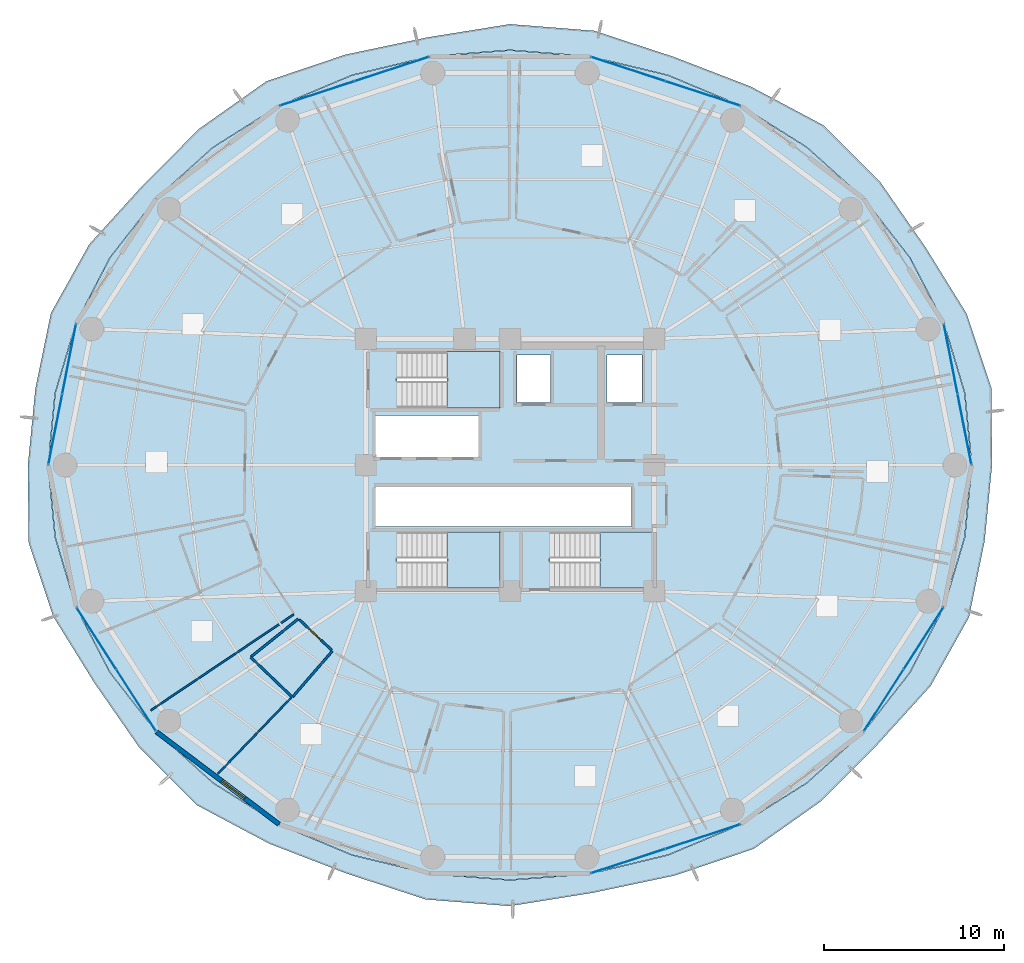
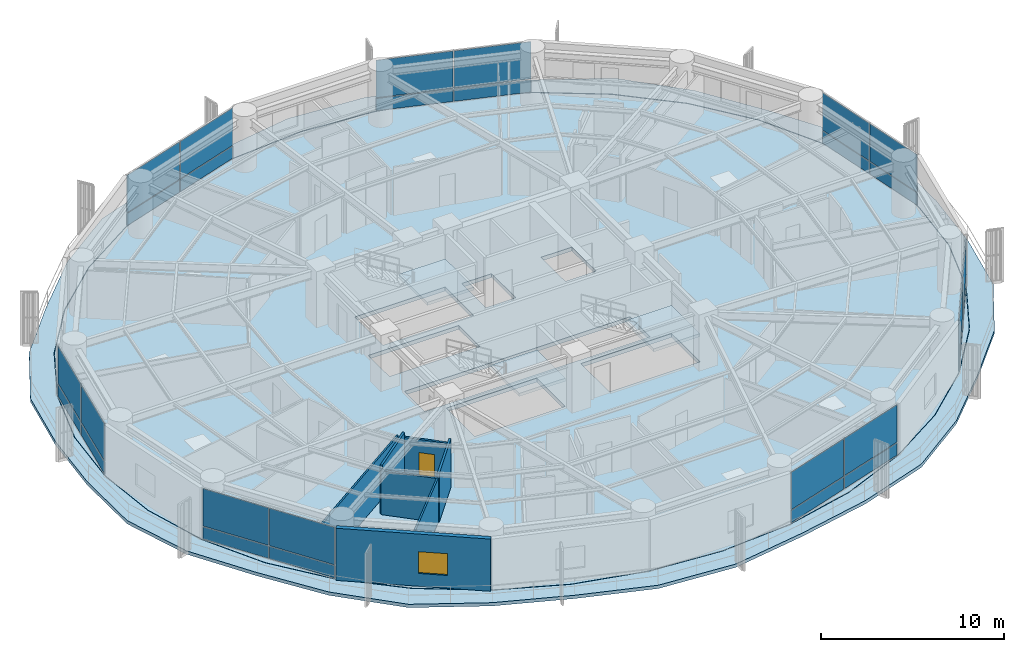
# One storey, part 28 of 35: 28 plates, 7 walls, 5 slabs, 1 door, 1 window, 2 openings, 10 elements without a shape of their own.
"""IFC4 building model written with IfcOpenShell, lengths in metres."""

from ifc_helpers import new_model, si_unit, direction, frame, frame_2d, origin, origin_2d, place, context, subcontext, project, spatial, polyline, rectangle, outline, extrude, source, transform, mapped, material, layer, layer_set, type_object, element, fill, aggregate, save


model = new_model("IFC4")

# Units and contexts
model_context = context("Model", 3, precision=1e-05, world=origin(), true_north=direction((0.0, 1.0)))
body_context = subcontext(model_context, "Body", "Model", "MODEL_VIEW")
ifc_project = project(units=[si_unit("LENGTHUNIT", "METRE"), si_unit("AREAUNIT", "SQUARE_METRE"), si_unit("VOLUMEUNIT", "CUBIC_METRE"), si_unit("PLANEANGLEUNIT", "RADIAN"), si_unit("MASSUNIT", "GRAM", prefix="KILO")], contexts=[model_context])

# Site, building, storey
site_placement = place(None, origin())
site = spatial("IfcSite", under=ifc_project, at=site_placement, CompositionType="ELEMENT")
building_placement = place(site_placement, origin())
building = spatial("IfcBuilding", under=site, at=building_placement, Name="Kelanora Arch Commons", CompositionType="ELEMENT")
storey_placement = place(building_placement, frame((0.0, 0.0, 121.35009765625)))
storey = spatial("IfcBuildingStorey", under=building, at=storey_placement, Name="L31", CompositionType="ELEMENT", Elevation=121.35009765625)

# Stair, slab
ifc_material_1 = material(Name="Concrete C40/50", Category="concrete")
stair_type = type_object("IfcStairType", Name="STR-DL-375", PredefinedType="HALF_TURN_STAIR", material=ifc_material_1)
stair_1_placement = place(storey_placement, origin())
stair_1 = element("IfcStair", 1, at=stair_1_placement, inside=storey, type_object=stair_type, Name="L31 ST-T1", PredefinedType="HALF_TURN_STAIR")
ifc_layer_1 = layer(ifc_material_1, 0.199951171875)
ifc_layer_set_1 = layer_set([ifc_layer_1], Name="Concrete C40/50")
slab_type_1 = type_object("IfcSlabType", Name="SLB-STAIR-LND", PredefinedType="LANDING", material=ifc_layer_set_1)
slab_1_placement = place(storey_placement, frame((0.0, 0.0, 1.6748046875)))
slab_1 = element("IfcSlab", 2, at=slab_1_placement, type_object=slab_type_1, Name="ST-T1 landing 1", PredefinedType="LANDING", context=body_context, shape_type="SweptSolid", body=[
    extrude(outline(polyline([(70.52001953125, 61.179931640625), (73.43994140625, 61.179931640625), (73.43994140625, 64.2900390625), (70.52001953125, 64.2900390625), (70.52001953125, 61.179931640625)])), origin(), (0.0, 0.0, 1.0), 0.2001953125),
])
aggregate(stair_1, [slab_1])

stair_2_placement = place(storey_placement, origin())
stair_2 = element("IfcStair", 3, at=stair_2_placement, inside=storey, type_object=stair_type, Name="L31 ST-T2", PredefinedType="HALF_TURN_STAIR")
slab_2_placement = place(storey_placement, frame((0.0, 0.0, 1.6748046875)))
slab_2 = element("IfcSlab", 4, at=slab_2_placement, type_object=slab_type_1, Name="ST-T2 landing 1", PredefinedType="LANDING", context=body_context, shape_type="SweptSolid", body=[
    extrude(outline(polyline([(79.0, 51.179931640625), (81.919921875, 51.179931640625), (81.919921875, 54.2900390625), (79.0, 54.2900390625), (79.0, 51.179931640625)])), origin(), (0.0, 0.0, 1.0), 0.2001953125),
])
aggregate(stair_2, [slab_2])

stair_3_placement = place(storey_placement, origin())
stair_3 = element("IfcStair", 5, at=stair_3_placement, inside=storey, type_object=stair_type, Name="L31 ST-T3", PredefinedType="HALF_TURN_STAIR")
slab_3_placement = place(storey_placement, frame((0.0, 0.0, 1.6748046875)))
slab_3 = element("IfcSlab", 6, at=slab_3_placement, type_object=slab_type_1, Name="ST-T3 landing 1", PredefinedType="LANDING", context=body_context, shape_type="SweptSolid", body=[
    extrude(outline(polyline([(70.52001953125, 51.179931640625), (73.43994140625, 51.179931640625), (73.43994140625, 54.2900390625), (70.52001953125, 54.2900390625), (70.52001953125, 51.179931640625)])), origin(), (0.0, 0.0, 1.0), 0.2001953125),
])
aggregate(stair_3, [slab_3])

# Slabs
ifc_layer_2 = layer(ifc_material_1, 0.260009765625)
ifc_layer_set_2 = layer_set([ifc_layer_2], Name="Concrete C40/50")
slab_type_2 = type_object("IfcSlabType", Name="SLB-TWR-TYP", PredefinedType="FLOOR", material=ifc_layer_set_2)
slab_4_placement = place(storey_placement, frame((0.0, 0.0, -0.260009765625)))
element("IfcSlab", 7, at=slab_4_placement, inside=storey, type_object=slab_type_2, Name="Tower Floor Slab L31", PredefinedType="FLOOR", context=body_context, shape_type="SweptSolid", body=[
    extrude(outline(polyline([(99.60009765625, 58.0), (99.211181640625, 61.993896484375), (98.05615234375, 65.866455078125), (96.17041015625, 69.5), (93.610595703125, 72.7841796875), (90.455322265625, 75.618896484375), (86.800048828125, 77.918701171875), (82.755615234375, 79.61279296875), (78.4453125, 80.650634765625), (74.0, 81.0), (69.5546875, 80.650634765625), (65.244384765625, 79.61279296875), (61.199951171875, 77.918701171875), (57.544677734375, 75.618896484375), (54.389404296875, 72.7841796875), (51.82958984375, 69.5), (49.94384765625, 65.866455078125), (48.788818359375, 61.993896484375), (48.39990234375, 58.0), (48.788818359375, 54.006103515625), (49.94384765625, 50.133544921875), (51.82958984375, 46.5), (54.389404296875, 43.2158203125), (57.544677734375, 40.381103515625), (61.199951171875, 38.081298828125), (65.244384765625, 36.38720703125), (69.5546875, 35.349365234375), (74.0, 35.0), (78.4453125, 35.349365234375), (82.755615234375, 36.38720703125), (86.800048828125, 38.081298828125), (90.455322265625, 40.381103515625), (93.610595703125, 43.2158203125), (96.17041015625, 46.5), (98.05615234375, 50.133544921875), (99.211181640625, 54.006103515625), (99.60009765625, 58.0)]), holes=[polyline([(73.431884765625, 51.18798828125), (67.72802734375, 51.18798828125), (67.72802734375, 54.281982421875), (73.431884765625, 54.281982421875), (73.431884765625, 51.18798828125)]), polyline([(76.2080078125, 51.18798828125), (76.2080078125, 54.281982421875), (81.912109375, 54.281982421875), (81.912109375, 51.18798828125), (76.2080078125, 51.18798828125)]), polyline([(66.550048828125, 54.60009765625), (66.550048828125, 56.800048828125), (80.75, 56.800048828125), (80.75, 54.60009765625), (66.550048828125, 54.60009765625)]), polyline([(66.550048828125, 58.449951171875), (66.550048828125, 60.75), (72.25, 60.75), (72.25, 58.449951171875), (66.550048828125, 58.449951171875)]), polyline([(67.72802734375, 61.18798828125), (67.72802734375, 64.281982421875), (73.431884765625, 64.281982421875), (73.431884765625, 61.18798828125), (67.72802734375, 61.18798828125)]), polyline([(74.3798828125, 61.47998046875), (74.3798828125, 64.1201171875), (76.260009765625, 64.1201171875), (76.260009765625, 61.47998046875), (74.3798828125, 61.47998046875)]), polyline([(79.3798828125, 61.47998046875), (79.3798828125, 64.1201171875), (81.320068359375, 64.1201171875), (81.320068359375, 61.47998046875), (79.3798828125, 61.47998046875)])]), origin(), (0.0, 0.0, 1.0), 0.260009765625),
])
ifc_layer_3 = layer(ifc_material_1, 0.219970703125)
ifc_layer_set_3 = layer_set([ifc_layer_3], Name="Concrete C40/50")
slab_type_3 = type_object("IfcSlabType", Name="SLB-WAVE-BAL", PredefinedType="FLOOR", material=ifc_layer_set_3)
slab_5_placement = place(storey_placement, frame((0.0, 0.0, -0.22021484375)))
element("IfcSlab", 8, at=slab_5_placement, inside=storey, type_object=slab_type_3, Name="Sinusoidal Wave Balcony Slab L31", PredefinedType="FLOOR", context=body_context, shape_type="SweptSolid", body=[
    extrude(outline(polyline([(100.732421875, 58.0), (100.6923828125, 62.28466796875), (99.333740234375, 66.384033203125), (97.0537109375, 70.067626953125), (94.555908203125, 73.666748046875), (91.382080078125, 76.84814453125), (87.35595703125, 78.990478515625), (83.09033203125, 80.63623046875), (78.6728515625, 82.08642578125), (74.0, 82.453857421875), (69.38623046875, 81.7138671875), (64.868896484375, 80.7607421875), (60.4912109375, 79.284912109375), (56.76611328125, 76.651611328125), (53.621826171875, 73.500732421875), (50.669921875, 70.245361328125), (48.544677734375, 66.433349609375), (47.677734375, 62.2119140625), (47.267578125, 58.0), (47.3076171875, 53.71533203125), (48.666259765625, 49.615966796875), (50.9462890625, 45.932373046875), (53.444091796875, 42.333251953125), (56.617919921875, 39.15185546875), (60.64404296875, 37.009521484375), (64.90966796875, 35.36376953125), (69.3271484375, 33.91357421875), (74.0, 33.546142578125), (78.61376953125, 34.2861328125), (83.131103515625, 35.2392578125), (87.5087890625, 36.715087890625), (91.23388671875, 39.348388671875), (94.378173828125, 42.499267578125), (97.330078125, 45.754638671875), (99.455322265625, 49.566650390625), (100.322265625, 53.7880859375), (100.732421875, 58.0)]), holes=[polyline([(99.230712890625, 54.002685546875), (98.074951171875, 50.126708984375), (96.1875, 46.489990234375), (93.626220703125, 43.202880859375), (90.46826171875, 40.36572265625), (86.81005859375, 38.064208984375), (82.7626953125, 36.368408203125), (78.448974609375, 35.32958984375), (74.0, 34.97998046875), (69.551025390625, 35.32958984375), (65.2373046875, 36.368408203125), (61.18994140625, 38.064208984375), (57.53173828125, 40.36572265625), (54.373779296875, 43.202880859375), (51.8125, 46.489990234375), (49.925048828125, 50.126708984375), (48.769287109375, 54.002685546875), (48.3798828125, 58.0), (48.769287109375, 61.997314453125), (49.925048828125, 65.873291015625), (51.8125, 69.510009765625), (54.373779296875, 72.797119140625), (57.53173828125, 75.63427734375), (61.18994140625, 77.935791015625), (65.2373046875, 79.631591796875), (69.551025390625, 80.67041015625), (74.0, 81.02001953125), (78.448974609375, 80.67041015625), (82.7626953125, 79.631591796875), (86.81005859375, 77.935791015625), (90.46826171875, 75.63427734375), (93.626220703125, 72.797119140625), (96.1875, 69.510009765625), (98.074951171875, 65.873291015625), (99.230712890625, 61.997314453125), (99.6201171875, 58.0), (99.230712890625, 54.002685546875)])]), origin(), (0.0, 0.0, 1.0), 0.22021484375),
])

# Curtain wall, plates
ifc_material_2 = material(Name="Terracotta ceramic-fritted low-E glass and aluminium", Category="masonry")
ifc_layer_4 = layer(ifc_material_2, 0.159912109375)
ifc_layer_set_4 = layer_set([ifc_layer_4], Name="Terracotta ceramic-fritted low-E glass and aluminium")
curtain_wall_type = type_object("IfcCurtainWallType", Name="CW-SYS-01", PredefinedType="NOTDEFINED", material=ifc_layer_set_4)
curtain_wall_1_placement = place(storey_placement, origin())
curtain_wall_1 = element("IfcCurtainWall", 9, at=curtain_wall_1_placement, inside=storey, type_object=curtain_wall_type, Name="Unitised Curtain Wall L31-B00", PredefinedType="NOTDEFINED")
ifc_material_3 = material(Name="Terracotta ceramic-fritted double glazing", Category="masonry")
ifc_layer_5 = layer(ifc_material_3, 0.028076171875)
ifc_layer_set_5 = layer_set([ifc_layer_5], Name="Terracotta ceramic-fritted double glazing")
plate_type = type_object("IfcPlateType", Name="CWP-FRIT", PredefinedType="CURTAIN_PANEL", material=ifc_layer_set_5)
shared_shape_1 = source(origin(), body_context, "Body", "SweptSolid", [
    extrude(rectangle(XDim=3.9033203125, YDim=0.028076171875, at=origin_2d()), origin(), (0.0, 0.0, 1.0), 0.81005859375),
])
plate_1_placement = place(storey_placement, frame((99.209716796875, 59.98876953125, 0.059814453125), z_axis=(0.0, 0.0, 1.0), x_axis=(-0.192584916272, 0.981280311646, 0.0)))
plate_1 = element("IfcPlate", 10, at=plate_1_placement, type_object=plate_type, Name="CW-01 panel 1.1", PredefinedType="CURTAIN_PANEL", context=body_context, shape_type="MappedRepresentation", body=[
    mapped(shared_shape_1, transform((0.0, 0.0, 0.0), scale=1.0)),
])
plate_2_placement = place(storey_placement, frame((98.446533203125, 63.877685546875, 0.059814453125), z_axis=(0.0, 0.0, 1.0), x_axis=(-0.192584916272, 0.981280311646, 0.0)))
plate_2 = element("IfcPlate", 11, at=plate_2_placement, type_object=plate_type, Name="CW-01 panel 2.1", PredefinedType="CURTAIN_PANEL", context=body_context, shape_type="MappedRepresentation", body=[
    mapped(shared_shape_1, transform((0.0, 0.0, 0.0), scale=1.0)),
])

curtain_wall_2_placement = place(storey_placement, origin())
curtain_wall_2 = element("IfcCurtainWall", 12, at=curtain_wall_2_placement, inside=storey, type_object=curtain_wall_type, Name="Unitised Curtain Wall L31-B08", PredefinedType="NOTDEFINED")
plate_3_placement = place(storey_placement, frame((49.553466796875, 63.877685546875, 0.059814453125), z_axis=(0.0, 0.0, 1.0), x_axis=(-0.192584916272, -0.981280311646, 0.0)))
plate_3 = element("IfcPlate", 13, at=plate_3_placement, type_object=plate_type, Name="CW-01 panel 1.1", PredefinedType="CURTAIN_PANEL", context=body_context, shape_type="MappedRepresentation", body=[
    mapped(shared_shape_1, transform((0.0, 0.0, 0.0), scale=1.0)),
])
plate_4_placement = place(storey_placement, frame((48.790283203125, 59.98876953125, 0.059814453125), z_axis=(0.0, 0.0, 1.0), x_axis=(-0.192584916272, -0.981280311646, 0.0)))
plate_4 = element("IfcPlate", 14, at=plate_4_placement, type_object=plate_type, Name="CW-01 panel 2.1", PredefinedType="CURTAIN_PANEL", context=body_context, shape_type="MappedRepresentation", body=[
    mapped(shared_shape_1, transform((0.0, 0.0, 0.0), scale=1.0)),
])

# Plate
shared_shape_2 = source(origin(), body_context, "Body", "SweptSolid", [
    extrude(rectangle(XDim=3.9033203125, YDim=0.028076171875, at=origin_2d()), origin(), (0.0, 0.0, 1.0), 2.485107421875),
])
plate_5_placement = place(storey_placement, frame((99.209716796875, 59.98876953125, 0.9296875), z_axis=(0.0, 0.0, 1.0), x_axis=(-0.192584916272, 0.981280311646, 0.0)))
plate_5 = element("IfcPlate", 15, at=plate_5_placement, type_object=plate_type, Name="CW-01 panel 1.2", PredefinedType="CURTAIN_PANEL", context=body_context, shape_type="MappedRepresentation", body=[
    mapped(shared_shape_2, transform((0.0, 0.0, 0.0), scale=1.0)),
])

plate_6_placement = place(storey_placement, frame((98.446533203125, 63.877685546875, 0.9296875), z_axis=(0.0, 0.0, 1.0), x_axis=(-0.192584916272, 0.981280311646, 0.0)))
plate_6 = element("IfcPlate", 16, at=plate_6_placement, type_object=plate_type, Name="CW-01 panel 2.2", PredefinedType="CURTAIN_PANEL", context=body_context, shape_type="MappedRepresentation", body=[
    mapped(shared_shape_2, transform((0.0, 0.0, 0.0), scale=1.0)),
])

aggregate(curtain_wall_1, [plate_1, plate_5, plate_2, plate_6])

plate_7_placement = place(storey_placement, frame((49.553466796875, 63.877685546875, 0.9296875), z_axis=(0.0, 0.0, 1.0), x_axis=(-0.192584916272, -0.981280311646, 0.0)))
plate_7 = element("IfcPlate", 17, at=plate_7_placement, type_object=plate_type, Name="CW-01 panel 1.2", PredefinedType="CURTAIN_PANEL", context=body_context, shape_type="MappedRepresentation", body=[
    mapped(shared_shape_2, transform((0.0, 0.0, 0.0), scale=1.0)),
])

plate_8_placement = place(storey_placement, frame((48.790283203125, 59.98876953125, 0.9296875), z_axis=(0.0, 0.0, 1.0), x_axis=(-0.192584916272, -0.981280311646, 0.0)))
plate_8 = element("IfcPlate", 18, at=plate_8_placement, type_object=plate_type, Name="CW-01 panel 2.2", PredefinedType="CURTAIN_PANEL", context=body_context, shape_type="MappedRepresentation", body=[
    mapped(shared_shape_2, transform((0.0, 0.0, 0.0), scale=1.0)),
])

aggregate(curtain_wall_2, [plate_3, plate_7, plate_4, plate_8])

# Curtain wall, plates
curtain_wall_3_placement = place(storey_placement, origin())
curtain_wall_3 = element("IfcCurtainWall", 19, at=curtain_wall_3_placement, inside=storey, type_object=curtain_wall_type, Name="Unitised Curtain Wall L31-B03", PredefinedType="NOTDEFINED")
shared_shape_3 = source(origin(), body_context, "Body", "SweptSolid", [
    extrude(rectangle(XDim=4.2900390625, YDim=0.028076171875, at=origin_2d()), origin(), (0.0, 0.0, 1.0), 0.81005859375),
])
plate_9_placement = place(storey_placement, frame((84.68994140625, 78.608642578125, 0.059814453125), z_axis=(0.0, 0.0, 1.0), x_axis=(-0.950473795867, 0.31080470294, 0.0)))
plate_9 = element("IfcPlate", 20, at=plate_9_placement, type_object=plate_type, Name="CW-01 panel 1.1", PredefinedType="CURTAIN_PANEL", context=body_context, shape_type="MappedRepresentation", body=[
    mapped(shared_shape_3, transform((0.0, 0.0, 0.0), scale=1.0)),
])
plate_10_placement = place(storey_placement, frame((80.555419921875, 79.960693359375, 0.059814453125), z_axis=(0.0, 0.0, 1.0), x_axis=(-0.950473795867, 0.31080470294, 0.0)))
plate_10 = element("IfcPlate", 21, at=plate_10_placement, type_object=plate_type, Name="CW-01 panel 2.1", PredefinedType="CURTAIN_PANEL", context=body_context, shape_type="MappedRepresentation", body=[
    mapped(shared_shape_3, transform((0.0, 0.0, 0.0), scale=1.0)),
])

curtain_wall_4_placement = place(storey_placement, origin())
curtain_wall_4 = element("IfcCurtainWall", 22, at=curtain_wall_4_placement, inside=storey, type_object=curtain_wall_type, Name="Unitised Curtain Wall L31-B05", PredefinedType="NOTDEFINED")
plate_11_placement = place(storey_placement, frame((67.444580078125, 79.960693359375, 0.059814453125), z_axis=(0.0, 0.0, 1.0), x_axis=(-0.950473795867, -0.31080470294, 0.0)))
plate_11 = element("IfcPlate", 23, at=plate_11_placement, type_object=plate_type, Name="CW-01 panel 1.1", PredefinedType="CURTAIN_PANEL", context=body_context, shape_type="MappedRepresentation", body=[
    mapped(shared_shape_3, transform((0.0, 0.0, 0.0), scale=1.0)),
])
plate_12_placement = place(storey_placement, frame((63.31005859375, 78.608642578125, 0.059814453125), z_axis=(0.0, 0.0, 1.0), x_axis=(-0.950473795867, -0.31080470294, 0.0)))
plate_12 = element("IfcPlate", 24, at=plate_12_placement, type_object=plate_type, Name="CW-01 panel 2.1", PredefinedType="CURTAIN_PANEL", context=body_context, shape_type="MappedRepresentation", body=[
    mapped(shared_shape_3, transform((0.0, 0.0, 0.0), scale=1.0)),
])

curtain_wall_5_placement = place(storey_placement, origin())
curtain_wall_5 = element("IfcCurtainWall", 25, at=curtain_wall_5_placement, inside=storey, type_object=curtain_wall_type, Name="Unitised Curtain Wall L31-B14", PredefinedType="NOTDEFINED")
plate_13_placement = place(storey_placement, frame((80.555419921875, 36.039306640625, 0.059814453125), z_axis=(0.0, 0.0, 1.0), x_axis=(0.950473795867, 0.31080470294, 0.0)))
plate_13 = element("IfcPlate", 26, at=plate_13_placement, type_object=plate_type, Name="CW-01 panel 1.1", PredefinedType="CURTAIN_PANEL", context=body_context, shape_type="MappedRepresentation", body=[
    mapped(shared_shape_3, transform((0.0, 0.0, 0.0), scale=1.0)),
])
plate_14_placement = place(storey_placement, frame((84.68994140625, 37.391357421875, 0.059814453125), z_axis=(0.0, 0.0, 1.0), x_axis=(0.950473795867, 0.31080470294, 0.0)))
plate_14 = element("IfcPlate", 27, at=plate_14_placement, type_object=plate_type, Name="CW-01 panel 2.1", PredefinedType="CURTAIN_PANEL", context=body_context, shape_type="MappedRepresentation", body=[
    mapped(shared_shape_3, transform((0.0, 0.0, 0.0), scale=1.0)),
])

# Plate
shared_shape_4 = source(origin(), body_context, "Body", "SweptSolid", [
    extrude(rectangle(XDim=4.2900390625, YDim=0.028076171875, at=origin_2d()), origin(), (0.0, 0.0, 1.0), 2.485107421875),
])
plate_15_placement = place(storey_placement, frame((84.68994140625, 78.608642578125, 0.9296875), z_axis=(0.0, 0.0, 1.0), x_axis=(-0.950473795867, 0.31080470294, 0.0)))
plate_15 = element("IfcPlate", 28, at=plate_15_placement, type_object=plate_type, Name="CW-01 panel 1.2", PredefinedType="CURTAIN_PANEL", context=body_context, shape_type="MappedRepresentation", body=[
    mapped(shared_shape_4, transform((0.0, 0.0, 0.0), scale=1.0)),
])

plate_16_placement = place(storey_placement, frame((80.555419921875, 79.960693359375, 0.9296875), z_axis=(0.0, 0.0, 1.0), x_axis=(-0.950473795867, 0.31080470294, 0.0)))
plate_16 = element("IfcPlate", 29, at=plate_16_placement, type_object=plate_type, Name="CW-01 panel 2.2", PredefinedType="CURTAIN_PANEL", context=body_context, shape_type="MappedRepresentation", body=[
    mapped(shared_shape_4, transform((0.0, 0.0, 0.0), scale=1.0)),
])

aggregate(curtain_wall_3, [plate_9, plate_15, plate_10, plate_16])

plate_17_placement = place(storey_placement, frame((67.444580078125, 79.960693359375, 0.9296875), z_axis=(0.0, 0.0, 1.0), x_axis=(-0.950473795867, -0.31080470294, 0.0)))
plate_17 = element("IfcPlate", 30, at=plate_17_placement, type_object=plate_type, Name="CW-01 panel 1.2", PredefinedType="CURTAIN_PANEL", context=body_context, shape_type="MappedRepresentation", body=[
    mapped(shared_shape_4, transform((0.0, 0.0, 0.0), scale=1.0)),
])

plate_18_placement = place(storey_placement, frame((63.31005859375, 78.608642578125, 0.9296875), z_axis=(0.0, 0.0, 1.0), x_axis=(-0.950473795867, -0.31080470294, 0.0)))
plate_18 = element("IfcPlate", 31, at=plate_18_placement, type_object=plate_type, Name="CW-01 panel 2.2", PredefinedType="CURTAIN_PANEL", context=body_context, shape_type="MappedRepresentation", body=[
    mapped(shared_shape_4, transform((0.0, 0.0, 0.0), scale=1.0)),
])

aggregate(curtain_wall_4, [plate_11, plate_17, plate_12, plate_18])

plate_19_placement = place(storey_placement, frame((80.555419921875, 36.039306640625, 0.9296875), z_axis=(0.0, 0.0, 1.0), x_axis=(0.950473795867, 0.31080470294, 0.0)))
plate_19 = element("IfcPlate", 32, at=plate_19_placement, type_object=plate_type, Name="CW-01 panel 1.2", PredefinedType="CURTAIN_PANEL", context=body_context, shape_type="MappedRepresentation", body=[
    mapped(shared_shape_4, transform((0.0, 0.0, 0.0), scale=1.0)),
])

plate_20_placement = place(storey_placement, frame((84.68994140625, 37.391357421875, 0.9296875), z_axis=(0.0, 0.0, 1.0), x_axis=(0.950473795867, 0.31080470294, 0.0)))
plate_20 = element("IfcPlate", 33, at=plate_20_placement, type_object=plate_type, Name="CW-01 panel 2.2", PredefinedType="CURTAIN_PANEL", context=body_context, shape_type="MappedRepresentation", body=[
    mapped(shared_shape_4, transform((0.0, 0.0, 0.0), scale=1.0)),
])

aggregate(curtain_wall_5, [plate_13, plate_19, plate_14, plate_20])

# Curtain wall, plates
curtain_wall_6_placement = place(storey_placement, origin())
curtain_wall_6 = element("IfcCurtainWall", 34, at=curtain_wall_6_placement, inside=storey, type_object=curtain_wall_type, Name="Unitised Curtain Wall L31-B10", PredefinedType="NOTDEFINED")
shared_shape_5 = source(origin(), body_context, "Body", "SweptSolid", [
    extrude(rectangle(XDim=4.00634765625, YDim=0.028076171875, at=origin_2d()), origin(), (0.0, 0.0, 1.0), 0.81005859375),
])
plate_21_placement = place(storey_placement, frame((51.0673828125, 48.38525390625, 0.059814453125), z_axis=(0.0, 0.0, 1.0), x_axis=(0.540616931244, -0.841268883088, 0.0)))
plate_21 = element("IfcPlate", 35, at=plate_21_placement, type_object=plate_type, Name="CW-01 panel 1.1", PredefinedType="CURTAIN_PANEL", context=body_context, shape_type="MappedRepresentation", body=[
    mapped(shared_shape_5, transform((0.0, 0.0, 0.0), scale=1.0)),
])
plate_22_placement = place(storey_placement, frame((53.265869140625, 44.964111328125, 0.059814453125), z_axis=(0.0, 0.0, 1.0), x_axis=(0.540616931244, -0.841268883088, 0.0)))
plate_22 = element("IfcPlate", 36, at=plate_22_placement, type_object=plate_type, Name="CW-01 panel 2.1", PredefinedType="CURTAIN_PANEL", context=body_context, shape_type="MappedRepresentation", body=[
    mapped(shared_shape_5, transform((0.0, 0.0, 0.0), scale=1.0)),
])

curtain_wall_7_placement = place(storey_placement, origin())
curtain_wall_7 = element("IfcCurtainWall", 37, at=curtain_wall_7_placement, inside=storey, type_object=curtain_wall_type, Name="Unitised Curtain Wall L31-B16", PredefinedType="NOTDEFINED")
plate_23_placement = place(storey_placement, frame((94.734130859375, 44.964111328125, 0.059814453125), z_axis=(0.0, 0.0, 1.0), x_axis=(0.540616931244, 0.841268883088, 0.0)))
plate_23 = element("IfcPlate", 38, at=plate_23_placement, type_object=plate_type, Name="CW-01 panel 1.1", PredefinedType="CURTAIN_PANEL", context=body_context, shape_type="MappedRepresentation", body=[
    mapped(shared_shape_5, transform((0.0, 0.0, 0.0), scale=1.0)),
])
plate_24_placement = place(storey_placement, frame((96.9326171875, 48.38525390625, 0.059814453125), z_axis=(0.0, 0.0, 1.0), x_axis=(0.540616931244, 0.841268883088, 0.0)))
plate_24 = element("IfcPlate", 39, at=plate_24_placement, type_object=plate_type, Name="CW-01 panel 2.1", PredefinedType="CURTAIN_PANEL", context=body_context, shape_type="MappedRepresentation", body=[
    mapped(shared_shape_5, transform((0.0, 0.0, 0.0), scale=1.0)),
])

# Plate
shared_shape_6 = source(origin(), body_context, "Body", "SweptSolid", [
    extrude(rectangle(XDim=4.00634765625, YDim=0.028076171875, at=origin_2d()), origin(), (0.0, 0.0, 1.0), 2.485107421875),
])
plate_25_placement = place(storey_placement, frame((51.0673828125, 48.38525390625, 0.9296875), z_axis=(0.0, 0.0, 1.0), x_axis=(0.540616931244, -0.841268883088, 0.0)))
plate_25 = element("IfcPlate", 40, at=plate_25_placement, type_object=plate_type, Name="CW-01 panel 1.2", PredefinedType="CURTAIN_PANEL", context=body_context, shape_type="MappedRepresentation", body=[
    mapped(shared_shape_6, transform((0.0, 0.0, 0.0), scale=1.0)),
])

plate_26_placement = place(storey_placement, frame((53.265869140625, 44.964111328125, 0.9296875), z_axis=(0.0, 0.0, 1.0), x_axis=(0.540616931244, -0.841268883088, 0.0)))
plate_26 = element("IfcPlate", 41, at=plate_26_placement, type_object=plate_type, Name="CW-01 panel 2.2", PredefinedType="CURTAIN_PANEL", context=body_context, shape_type="MappedRepresentation", body=[
    mapped(shared_shape_6, transform((0.0, 0.0, 0.0), scale=1.0)),
])

aggregate(curtain_wall_6, [plate_21, plate_25, plate_22, plate_26])

plate_27_placement = place(storey_placement, frame((94.734130859375, 44.964111328125, 0.9296875), z_axis=(0.0, 0.0, 1.0), x_axis=(0.540616931244, 0.841268883088, 0.0)))
plate_27 = element("IfcPlate", 42, at=plate_27_placement, type_object=plate_type, Name="CW-01 panel 1.2", PredefinedType="CURTAIN_PANEL", context=body_context, shape_type="MappedRepresentation", body=[
    mapped(shared_shape_6, transform((0.0, 0.0, 0.0), scale=1.0)),
])

plate_28_placement = place(storey_placement, frame((96.9326171875, 48.38525390625, 0.9296875), z_axis=(0.0, 0.0, 1.0), x_axis=(0.540616931244, 0.841268883088, 0.0)))
plate_28 = element("IfcPlate", 43, at=plate_28_placement, type_object=plate_type, Name="CW-01 panel 2.2", PredefinedType="CURTAIN_PANEL", context=body_context, shape_type="MappedRepresentation", body=[
    mapped(shared_shape_6, transform((0.0, 0.0, 0.0), scale=1.0)),
])

aggregate(curtain_wall_7, [plate_23, plate_27, plate_24, plate_28])

# Wall, opening, window
ifc_material_4 = material(Name="Precast concrete C40/50 with terracotta rainscreen", Category="masonry")
ifc_layer_6 = layer(ifc_material_4, 0.260009765625)
ifc_layer_set_6 = layer_set([ifc_layer_6], Name="Precast concrete C40/50 with terracotta rainscreen")
wall_type_1 = type_object("IfcWallType", Name="W-EXT-TC", PredefinedType="SOLIDWALL", material=ifc_layer_set_6)
wall_1_placement = place(storey_placement, frame((54.4013671875, 43.206787109375, 0.0), z_axis=(0.0, 0.0, 1.0), x_axis=(0.798501507879, -0.601992808857, 0.0)))
wall_1 = element("IfcWall", 44, at=wall_1_placement, inside=storey, type_object=wall_type_1, Name="Terracotta Exterior Wall L31-B11", PredefinedType="SOLIDWALL", context=body_context, shape_type="SweptSolid", body=[
    extrude(rectangle(XDim=8.499267578125, YDim=0.260009765625, at=frame_2d((4.24951171875, 0.0))), origin(), (0.0, 0.0, 1.0), 3.474853515625),
])
opening_1_placement = place(wall_1_placement, frame((4.530029296875, 0.0, 0.85009765625)))
opening_1 = element("IfcOpeningElement", 45, at=opening_1_placement, cuts=wall_1, Name="Opening WN-01", PredefinedType="OPENING", context=body_context, shape_type="SweptSolid", body=[
    extrude(rectangle(XDim=1.60009765625, YDim=1.449951171875, at=frame_2d((0.800048828125, 0.72509765625))), frame((0.0, 0.14013671875, 0.0), z_axis=(0.0, -1.0, 0.0), x_axis=(1.0, 0.0, 0.0)), (0.0, 0.0, 1.0), 0.280029296875),
])
ifc_material_5 = material(Name="Terracotta-anodised aluminium frame with operable low-E glazing", Category="masonry")
window_type = type_object("IfcWindowType", Name="WIN-CL-18", PartitioningType="DOUBLE_PANEL_VERTICAL", PredefinedType="WINDOW", material=ifc_material_5)
window_placement = place(opening_1_placement, origin())
window = element("IfcWindow", 46, at=window_placement, inside=storey, type_object=window_type, Name="Co-Living Operable Window L31-B11", OverallHeight=1.449951171875, OverallWidth=1.60009765625, PartitioningType="SINGLE_PANEL", PredefinedType="WINDOW", context=body_context, shape_type="SweptSolid", body=[
    extrude(rectangle(XDim=1.60009765625, YDim=1.449951171875, at=frame_2d((0.800048828125, 0.72509765625))), frame((0.0, 0.030029296875, 0.0), z_axis=(0.0, -1.0, 0.0), x_axis=(1.0, 0.0, 0.0)), (0.0, 0.0, 1.0), 0.06005859375),
])
fill(opening_1, window)

# Walls
ifc_material_6 = material(Name="Lightweight fire-rated acoustic stud partition")
ifc_layer_7 = layer(ifc_material_6, 0.10009765625)
ifc_layer_set_7 = layer_set([ifc_layer_7], Name="Lightweight fire-rated acoustic stud partition")
wall_type_2 = type_object("IfcWallType", Name="W-PART-100", PredefinedType="PARTITIONING", material=ifc_layer_set_7)
wall_2_placement = place(storey_placement, frame((62.0107421875, 49.7177734375, 0.0), z_axis=(0.0, 0.0, 1.0), x_axis=(-0.830433607217, -0.557117603388, 0.0)))
element("IfcWall", 47, at=wall_2_placement, inside=storey, type_object=wall_type_2, Name="Quiet Reading Carrel L31-07 Enclosure Partition 2", PredefinedType="PARTITIONING", context=body_context, shape_type="SweptSolid", body=[
    extrude(rectangle(XDim=9.546142578125, YDim=0.10009765625, at=frame_2d((4.77294921875, 0.0))), origin(), (0.0, 0.0, 1.0), 2.974853515625),
])
wall_3_placement = place(storey_placement, frame((57.8056640625, 40.884765625, 0.0), z_axis=(0.0, 0.0, 1.0), x_axis=(0.693697879067, 0.720266098451, 0.0)))
element("IfcWall", 48, at=wall_3_placement, inside=storey, type_object=wall_type_2, Name="Tutorial Study Alcove L31-08 Enclosure Partition 4", PredefinedType="PARTITIONING", context=body_context, shape_type="SweptSolid", body=[
    extrude(rectangle(XDim=5.84423828125, YDim=0.10009765625, at=frame_2d((2.922119140625, 0.0))), origin(), (0.0, 0.0, 1.0), 2.974853515625),
])

# Wall, opening, door
ifc_material_7 = material(Name="Moisture-resistant fire-rated cement-board plumbing wall")
ifc_layer_8 = layer(ifc_material_7, 0.1298828125)
ifc_layer_set_8 = layer_set([ifc_layer_8], Name="Moisture-resistant fire-rated cement-board plumbing wall")
wall_type_3 = type_object("IfcWallType", Name="W-WET-120", PredefinedType="PLUMBINGWALL", material=ifc_layer_set_8)
wall_4_placement = place(storey_placement, frame((62.313720703125, 49.43701171875, 0.0), z_axis=(0.0, 0.0, 1.0), x_axis=(0.727704720547, -0.68589054498, 0.0)))
wall_4 = element("IfcWall", 49, at=wall_4_placement, inside=storey, type_object=wall_type_3, Name="Accessible Shared Floor WC L31-08 Entry Partition", PredefinedType="PLUMBINGWALL", context=body_context, shape_type="SweptSolid", body=[
    extrude(rectangle(XDim=2.4755859375, YDim=0.1298828125, at=frame_2d((1.23779296875, 0.0))), origin(), (0.0, 0.0, 1.0), 2.9248046875),
])
opening_2_placement = place(wall_4_placement, frame((0.80810546875, 0.0, 0.0)))
opening_2 = element("IfcOpeningElement", 50, at=opening_2_placement, cuts=wall_4, Name="Opening D-BT1", PredefinedType="OPENING", context=body_context, shape_type="SweptSolid", body=[
    extrude(rectangle(XDim=0.860107421875, YDim=2.050048828125, at=frame_2d((0.43017578125, 1.02490234375))), frame((0.0, 0.074951171875, 0.0), z_axis=(0.0, -1.0, 0.0), x_axis=(1.0, 0.0, 0.0)), (0.0, 0.0, 1.0), 0.14990234375),
])
ifc_material_8 = material(Name="Moisture-sealed fire-rated accessible bathroom door")
door_type = type_object("IfcDoorType", Name="D-BATH-85", OperationType="NOTDEFINED", PredefinedType="DOOR", material=ifc_material_8)
door_placement = place(opening_2_placement, origin())
door = element("IfcDoor", 51, at=door_placement, inside=storey, type_object=door_type, Name="Accessible Shared Floor WC L31-08 Door", OperationType="SINGLE_SWING_RIGHT", OverallHeight=2.050048828125, OverallWidth=0.860107421875, PredefinedType="DOOR", context=body_context, shape_type="SweptSolid", body=[
    extrude(rectangle(XDim=0.860107421875, YDim=2.050048828125, at=frame_2d((0.43017578125, 1.02490234375))), frame((0.0, 0.02490234375, 0.0), z_axis=(0.0, -1.0, 0.0), x_axis=(1.0, 0.0, 0.0)), (0.0, 0.0, 1.0), 0.050048828125),
])
fill(opening_2, door)

# Walls
wall_5_placement = place(storey_placement, frame((64.14599609375, 47.682861328125, 0.0), z_axis=(0.0, 0.0, 1.0), x_axis=(-0.654725816563, -0.75586645985, 0.0)))
element("IfcWall", 52, at=wall_5_placement, inside=storey, type_object=wall_type_3, Name="Accessible Shared Floor WC L31-08 Enclosure Partition 2", PredefinedType="PLUMBINGWALL", context=body_context, shape_type="SweptSolid", body=[
    extrude(rectangle(XDim=3.360107421875, YDim=0.1298828125, at=frame_2d((1.68017578125, 0.0))), origin(), (0.0, 0.0, 1.0), 3.23486328125),
])
wall_6_placement = place(storey_placement, frame((61.918701171875, 45.141845703125, 0.0), z_axis=(0.0, 0.0, 1.0), x_axis=(-0.721319622767, 0.692602340316, 0.0)))
element("IfcWall", 53, at=wall_6_placement, inside=storey, type_object=wall_type_3, Name="Accessible Shared Floor WC L31-08 Enclosure Partition 3", PredefinedType="PLUMBINGWALL", context=body_context, shape_type="SweptSolid", body=[
    extrude(rectangle(XDim=3.171142578125, YDim=0.1298828125, at=frame_2d((1.58544921875, 0.0))), origin(), (0.0, 0.0, 1.0), 2.9248046875),
])
wall_7_placement = place(storey_placement, frame((59.632568359375, 47.364501953125, 0.0), z_axis=(0.0, 0.0, 1.0), x_axis=(0.780343931947, 0.625350579974, 0.0)))
element("IfcWall", 54, at=wall_7_placement, inside=storey, type_object=wall_type_3, Name="Accessible Shared Floor WC L31-08 Enclosure Partition 4", PredefinedType="PLUMBINGWALL", context=body_context, shape_type="SweptSolid", body=[
    extrude(rectangle(XDim=3.35986328125, YDim=0.1298828125, at=frame_2d((1.679931640625, 0.0))), origin(), (0.0, 0.0, 1.0), 3.23486328125),
])

save(model, "model.ifc")
